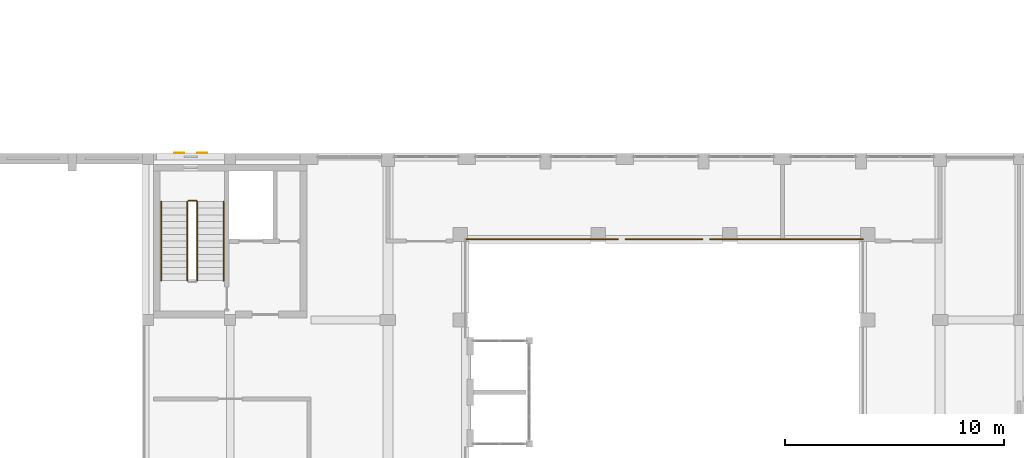
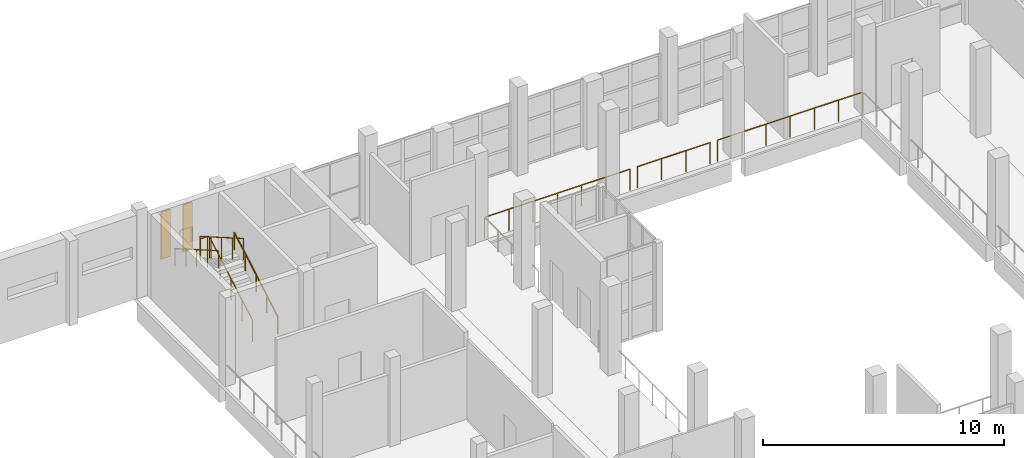
# One storey, part 37 of 59: 8 railings, 2 shading devices.
"""IFC4 building model written with IfcOpenShell, lengths in metres."""

from ifc_helpers import new_model, si_unit, direction, frame, origin, origin_2d, place, context, subcontext, project, spatial, rectangle, circle, extrude, material, layer, layer_set, type_object, element, save


model = new_model("IFC4")

# Units and contexts
model_context = context("Model", 3, precision=1e-05, world=origin(), true_north=direction((0.0, 1.0)))
body_context = subcontext(model_context, "Body", "Model", "MODEL_VIEW")
ifc_project = project(units=[si_unit("LENGTHUNIT", "METRE"), si_unit("AREAUNIT", "SQUARE_METRE"), si_unit("VOLUMEUNIT", "CUBIC_METRE"), si_unit("PLANEANGLEUNIT", "RADIAN"), si_unit("MASSUNIT", "GRAM", prefix="KILO")], contexts=[model_context])

# Site, building, storey
site_placement = place(None, origin())
site = spatial("IfcSite", under=ifc_project, at=site_placement, CompositionType="ELEMENT")
building_placement = place(site_placement, origin())
building = spatial("IfcBuilding", under=site, at=building_placement, Name="Ussher Court Research Institute", CompositionType="ELEMENT")
storey_placement = place(building_placement, frame((0.0, 0.0, 5.39990234375)))
storey = spatial("IfcBuildingStorey", under=building, at=storey_placement, Name="L01", CompositionType="ELEMENT", Elevation=5.39990234375)

# Railings
ifc_material_1 = material(Name="Painted steel balustrade", Category="steel")
railing_type_1 = type_object("IfcRailingType", Name="Gallery guard 1100 steel balustrade", PredefinedType="GUARDRAIL", material=ifc_material_1)
for number, where, name in (
    (1, (60.679931640625, 36.47998046875, 0.0), "L01 Gallery guard"),
    (2, (49.5, 36.47998046875, 0.0), "L01 Gallery guard"),
):
    element("IfcRailing", number, at=place(storey_placement, frame(where)), inside=storey, type_object=railing_type_1, Name=name, PredefinedType="GUARDRAIL", context=body_context, shape_type="SweptSolid", body=[
        extrude(circle(Radius=0.02392578125, at=origin_2d()), frame((0.0, 0.0, 1.076171875), z_axis=(-1.0, 0.0, 0.0), x_axis=(0.0, -1.0, 0.0)), (0.0, 0.0, 1.0), 6.97998046875),
        extrude(circle(Radius=0.02099609375, at=origin_2d()), origin(), (0.0, 0.0, 1.0), 1.052001953125),
        extrude(circle(Radius=0.02099609375, at=origin_2d()), frame((-1.163330078125, 0.0, 0.0)), (0.0, 0.0, 1.0), 1.052001953125),
        extrude(circle(Radius=0.02099609375, at=origin_2d()), frame((-2.32666015625, 0.0, 0.0)), (0.0, 0.0, 1.0), 1.052001953125),
        extrude(circle(Radius=0.02099609375, at=origin_2d()), frame((-3.489990234375, 0.0, 0.0)), (0.0, 0.0, 1.0), 1.052001953125),
        extrude(circle(Radius=0.02099609375, at=origin_2d()), frame((-4.6533203125, 0.0, 0.0)), (0.0, 0.0, 1.0), 1.052001953125),
        extrude(circle(Radius=0.02099609375, at=origin_2d()), frame((-5.816650390625, 0.0, 0.0)), (0.0, 0.0, 1.0), 1.052001953125),
        extrude(circle(Radius=0.02099609375, at=origin_2d()), frame((-6.97998046875, 0.0, 0.0)), (0.0, 0.0, 1.0), 1.052001953125),
    ])
railing_1_placement = place(storey_placement, frame((53.35009765625, 36.47998046875, 0.0)))
element("IfcRailing", 3, at=railing_1_placement, inside=storey, type_object=railing_type_1, Name="L01 Gallery guard", PredefinedType="GUARDRAIL", context=body_context, shape_type="SweptSolid", body=[
    extrude(circle(Radius=0.02392578125, at=origin_2d()), frame((0.0, 0.0, 1.076171875), z_axis=(-1.0, 0.0, 0.0), x_axis=(0.0, -1.0, 0.0)), (0.0, 0.0, 1.0), 3.5),
    extrude(circle(Radius=0.02099609375, at=origin_2d()), origin(), (0.0, 0.0, 1.0), 1.052001953125),
    extrude(circle(Radius=0.02099609375, at=origin_2d()), frame((-1.166748046875, 0.0, 0.0)), (0.0, 0.0, 1.0), 1.052001953125),
    extrude(circle(Radius=0.02099609375, at=origin_2d()), frame((-2.333251953125, 0.0, 0.0)), (0.0, 0.0, 1.0), 1.052001953125),
    extrude(circle(Radius=0.02099609375, at=origin_2d()), frame((-3.5, 0.0, 0.0)), (0.0, 0.0, 1.0), 1.052001953125),
])

# Shading devices
ifc_material_2 = material(Name="Timber louvred shutter", Category="wood")
ifc_layer = layer(ifc_material_2, 0.0400390625)
ifc_layer_set = layer_set([ifc_layer], Name="Timber louvred shutter")
shading_device_type = type_object("IfcShadingDeviceType", Name="Louvred shutter leaf 450x2400", PredefinedType="USERDEFINED", material=ifc_layer_set)
for number, where, z_axis, x_axis, name in (
    (4, (29.47509765625, 40.419921875, 1.2001953125), (0.0, 0.0, 1.0), (1.0, 0.0, 0.0), "Shutter LV2 L01"),
    (5, (30.52490234375, 40.419921875, 1.2001953125), (0.0, 0.0, 1.0), (1.0, 0.0, 0.0), "Shutter LV2 L01"),
):
    element("IfcShadingDevice", number, at=place(storey_placement, frame(where, z_axis=z_axis, x_axis=x_axis)), inside=storey, type_object=shading_device_type, Name=name, ObjectType="SHUTTER", PredefinedType="USERDEFINED", context=body_context, shape_type="SweptSolid", body=[
        extrude(rectangle(XDim=0.449951171875, YDim=0.0400390625, at=origin_2d()), origin(), (0.0, 0.0, 1.0), 2.39990234375),
    ])

# Railings
ifc_material_3 = material(Name="Painted steel balustrade", Category="steel")
railing_type_2 = type_object("IfcRailingType", Name="Stair guard 1100 steel balustrade", PredefinedType="GUARDRAIL", material=ifc_material_3)
railing_2_placement = place(storey_placement, frame((30.300048828125, 34.60009765625, 0.173095703125)))
element("IfcRailing", 6, at=railing_2_placement, inside=storey, type_object=railing_type_2, Name="L01 W1 stair guard 1", PredefinedType="GUARDRAIL", context=body_context, shape_type="SweptSolid", body=[
    extrude(circle(Radius=0.02392578125, at=origin_2d()), frame((0.0, 0.0, 1.076171875), z_axis=(0.0, 0.866178740119, 0.499734319579), x_axis=(-1.0, 0.0, 0.0)), (0.0, 0.0, 1.0), 4.156005859375),
    extrude(circle(Radius=0.02099609375, at=origin_2d()), origin(), (0.0, 0.0, 1.0), 1.052001953125),
    extrude(circle(Radius=0.02099609375, at=origin_2d()), frame((0.0, 0.89990234375, 0.519287109375)), (0.0, 0.0, 1.0), 1.052001953125),
    extrude(circle(Radius=0.02099609375, at=origin_2d()), frame((0.0, 1.7998046875, 1.03857421875)), (0.0, 0.0, 1.0), 1.052001953125),
    extrude(circle(Radius=0.02099609375, at=origin_2d()), frame((0.0, 2.699951171875, 1.5576171875)), (0.0, 0.0, 1.0), 1.052001953125),
    extrude(circle(Radius=0.02099609375, at=origin_2d()), frame((0.0, 3.599853515625, 2.076904296875)), (0.0, 0.0, 1.0), 1.052001953125),
])
railing_3_placement = place(storey_placement, frame((30.25, 38.25, 2.25)))
element("IfcRailing", 7, at=railing_3_placement, inside=storey, type_object=railing_type_2, Name="L01 W1 stair guard 2", PredefinedType="GUARDRAIL", context=body_context, shape_type="SweptSolid", body=[
    extrude(circle(Radius=0.02392578125, at=origin_2d()), frame((0.0, 0.0, 1.076171875), z_axis=(-1.0, 0.0, 0.0), x_axis=(0.0, -1.0, 0.0)), (0.0, 0.0, 1.0), 0.35009765625),
    extrude(circle(Radius=0.02099609375, at=origin_2d()), origin(), (0.0, 0.0, 1.0), 1.052001953125),
    extrude(circle(Radius=0.02099609375, at=origin_2d()), frame((-0.35009765625, 0.0, 0.0)), (0.0, 0.0, 1.0), 1.052001953125),
])
railing_4_placement = place(storey_placement, frame((29.85009765625, 38.199951171875, 2.423095703125)))
element("IfcRailing", 8, at=railing_4_placement, inside=storey, type_object=railing_type_2, Name="L01 W1 stair guard 3", PredefinedType="GUARDRAIL", context=body_context, shape_type="SweptSolid", body=[
    extrude(circle(Radius=0.02392578125, at=origin_2d()), frame((0.0, 0.0, 1.076171875), z_axis=(0.0, -0.866178740119, 0.499734319579), x_axis=(1.0, 0.0, 0.0)), (0.0, 0.0, 1.0), 4.156005859375),
    extrude(circle(Radius=0.02099609375, at=origin_2d()), origin(), (0.0, 0.0, 1.0), 1.052001953125),
    extrude(circle(Radius=0.02099609375, at=origin_2d()), frame((0.0, -0.89990234375, 0.519287109375)), (0.0, 0.0, 1.0), 1.052001953125),
    extrude(circle(Radius=0.02099609375, at=origin_2d()), frame((0.0, -1.7998046875, 1.03857421875)), (0.0, 0.0, 1.0), 1.052001953125),
    extrude(circle(Radius=0.02099609375, at=origin_2d()), frame((0.0, -2.699951171875, 1.5576171875)), (0.0, 0.0, 1.0), 1.052001953125),
    extrude(circle(Radius=0.02099609375, at=origin_2d()), frame((0.0, -3.599853515625, 2.076904296875)), (0.0, 0.0, 1.0), 1.052001953125),
])
ifc_material_4 = material(Name="Painted steel handrail", Category="steel")
railing_type_3 = type_object("IfcRailingType", Name="Stair handrail 900 steel", PredefinedType="HANDRAIL", material=ifc_material_4)
railing_5_placement = place(storey_placement, frame((31.5, 34.60009765625, 0.173095703125)))
element("IfcRailing", 9, at=railing_5_placement, inside=storey, type_object=railing_type_3, Name="L01 W1 stair handrail 1", PredefinedType="HANDRAIL", context=body_context, shape_type="SweptSolid", body=[
    extrude(circle(Radius=0.02392578125, at=origin_2d()), frame((0.0, 0.0, 0.8759765625), z_axis=(0.0, 0.866178740119, 0.499734319579), x_axis=(-1.0, 0.0, 0.0)), (0.0, 0.0, 1.0), 4.156005859375),
    extrude(circle(Radius=0.02099609375, at=origin_2d()), origin(), (0.0, 0.0, 1.0), 0.851806640625),
    extrude(circle(Radius=0.02099609375, at=origin_2d()), frame((0.0, 0.89990234375, 0.519287109375)), (0.0, 0.0, 1.0), 0.851806640625),
    extrude(circle(Radius=0.02099609375, at=origin_2d()), frame((0.0, 1.7998046875, 1.03857421875)), (0.0, 0.0, 1.0), 0.851806640625),
    extrude(circle(Radius=0.02099609375, at=origin_2d()), frame((0.0, 2.699951171875, 1.5576171875)), (0.0, 0.0, 1.0), 0.851806640625),
    extrude(circle(Radius=0.02099609375, at=origin_2d()), frame((0.0, 3.599853515625, 2.076904296875)), (0.0, 0.0, 1.0), 0.851806640625),
])
railing_6_placement = place(storey_placement, frame((28.64990234375, 38.199951171875, 2.423095703125)))
element("IfcRailing", 10, at=railing_6_placement, inside=storey, type_object=railing_type_3, Name="L01 W1 stair handrail 2", PredefinedType="HANDRAIL", context=body_context, shape_type="SweptSolid", body=[
    extrude(circle(Radius=0.02392578125, at=origin_2d()), frame((0.0, 0.0, 0.8759765625), z_axis=(0.0, -0.866178740119, 0.499734319579), x_axis=(1.0, 0.0, 0.0)), (0.0, 0.0, 1.0), 4.156005859375),
    extrude(circle(Radius=0.02099609375, at=origin_2d()), origin(), (0.0, 0.0, 1.0), 0.851806640625),
    extrude(circle(Radius=0.02099609375, at=origin_2d()), frame((0.0, -0.89990234375, 0.519287109375)), (0.0, 0.0, 1.0), 0.851806640625),
    extrude(circle(Radius=0.02099609375, at=origin_2d()), frame((0.0, -1.7998046875, 1.03857421875)), (0.0, 0.0, 1.0), 0.851806640625),
    extrude(circle(Radius=0.02099609375, at=origin_2d()), frame((0.0, -2.699951171875, 1.5576171875)), (0.0, 0.0, 1.0), 0.851806640625),
    extrude(circle(Radius=0.02099609375, at=origin_2d()), frame((0.0, -3.599853515625, 2.076904296875)), (0.0, 0.0, 1.0), 0.851806640625),
])

save(model, "model.ifc")
